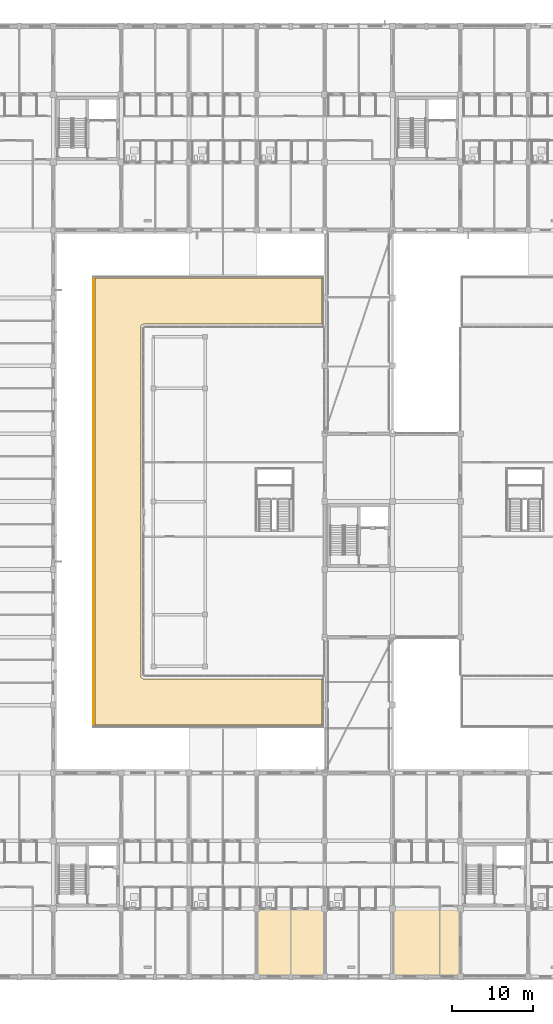
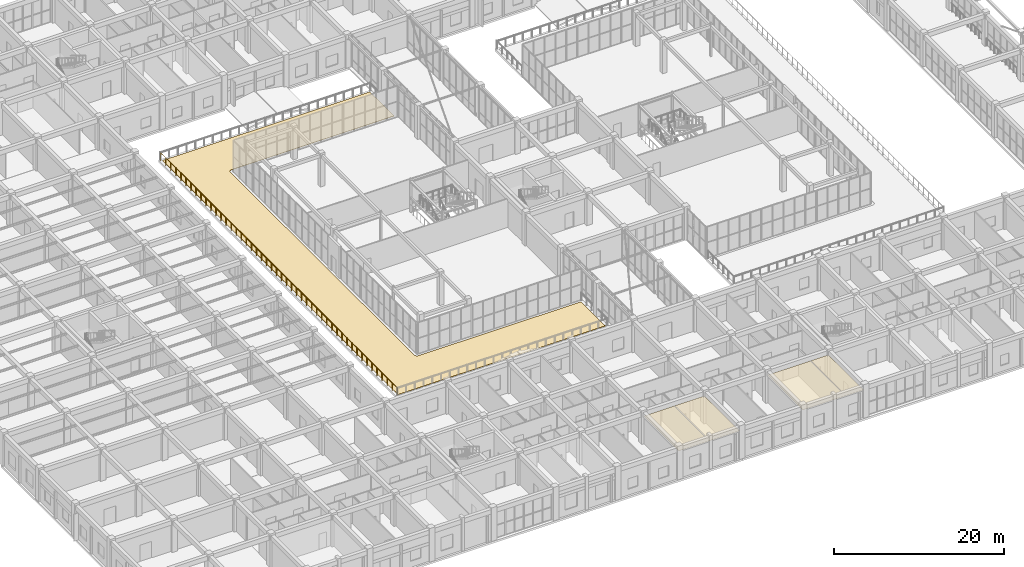
# One storey, part 147 of 158: 3 coverings, 1 railing.
"""IFC4 building model written with IfcOpenShell, lengths in metres."""

from ifc_helpers import new_model, si_unit, direction, frame, origin, origin_2d, place, context, subcontext, project, spatial, polyline, circle, outline, extrude, material, layer, layer_set, type_object, element, save


model = new_model("IFC4")

# Units and contexts
model_context = context("Model", 3, precision=1e-05, world=origin(), true_north=direction((0.0, 1.0)))
body_context = subcontext(model_context, "Body", "Model", "MODEL_VIEW")
ifc_project = project(units=[si_unit("LENGTHUNIT", "METRE"), si_unit("AREAUNIT", "SQUARE_METRE"), si_unit("VOLUMEUNIT", "CUBIC_METRE"), si_unit("PLANEANGLEUNIT", "RADIAN"), si_unit("MASSUNIT", "GRAM", prefix="KILO")], contexts=[model_context])

# Site, building, storey
site_placement = place(None, origin())
site = spatial("IfcSite", under=ifc_project, at=site_placement, CompositionType="ELEMENT")
building_placement = place(site_placement, origin())
building = spatial("IfcBuilding", under=site, at=building_placement, Name="Trelvath General Hospital", CompositionType="ELEMENT")
storey_placement = place(building_placement, frame((0.0, 0.0, 8.10009765625)))
storey = spatial("IfcBuildingStorey", under=building, at=storey_placement, Name="L02", CompositionType="ELEMENT", Elevation=8.10009765625)

# Coverings
ifc_material_1 = material(Name="Hygienic acoustic ceiling tile")
ifc_layer_1 = layer(ifc_material_1, 0.02490234375)
ifc_layer_set_1 = layer_set([ifc_layer_1], Name="Hygienic acoustic ceiling tile")
covering_type_1 = type_object("IfcCoveringType", Name="Ceiling ClinicalAcoustic", PredefinedType="CEILING", material=ifc_layer_set_1)
covering_1_placement = place(storey_placement, frame((0.0, 0.0, 3.719970703125)))
element("IfcCovering", 1, at=covering_1_placement, inside=storey, type_object=covering_type_1, Name="Clinical Acoustic Ceiling L02-28", PredefinedType="CEILING", context=body_context, shape_type="SweptSolid", body=[
    extrude(outline(polyline([(67.300048828125, 0.10009765625), (75.5, 0.10009765625), (75.5, 8.320068359375), (67.300048828125, 8.320068359375), (67.300048828125, 0.10009765625)])), origin(), (0.0, 0.0, 1.0), 0.02490234375),
])
covering_2_placement = place(storey_placement, frame((0.0, 0.0, 3.719970703125)))
element("IfcCovering", 2, at=covering_2_placement, inside=storey, type_object=covering_type_1, Name="Clinical Acoustic Ceiling L02-29", PredefinedType="CEILING", context=body_context, shape_type="SweptSolid", body=[
    extrude(outline(polyline([(84.10009765625, 0.10009765625), (92.300048828125, 0.10009765625), (92.300048828125, 8.320068359375), (84.10009765625, 8.320068359375), (84.10009765625, 0.10009765625)])), origin(), (0.0, 0.0, 1.0), 0.02490234375),
])

# Railing
ifc_material_2 = material(Name="Architectural painted steel", Category="steel")
railing_type = type_object("IfcRailingType", Name="Guardrail Terrace1150", PredefinedType="GUARDRAIL", material=ifc_material_2)
railing_placement = place(storey_placement, frame((46.97998046875, 31.0400390625, 0.0)))
element("IfcRailing", 3, at=railing_placement, inside=storey, type_object=railing_type, Name="Cube Terrace Guardrail TERR-CW-U2 2 20", PredefinedType="GUARDRAIL", context=body_context, shape_type="SweptSolid", body=[
    extrude(circle(Radius=0.02392578125, at=origin_2d()), frame((0.0, 0.0, 1.1259765625), z_axis=(0.0, 1.0, 0.0), x_axis=(-1.0, 0.0, 0.0)), (0.0, 0.0, 1.0), 55.52001953125),
    extrude(circle(Radius=0.02099609375, at=origin_2d()), origin(), (0.0, 0.0, 1.0), 1.099853515625),
    extrude(circle(Radius=0.02099609375, at=origin_2d()), frame((0.0, 1.181396484375, 0.0)), (0.0, 0.0, 1.0), 1.099853515625),
    extrude(circle(Radius=0.02099609375, at=origin_2d()), frame((0.0, 2.362548828125, 0.0)), (0.0, 0.0, 1.0), 1.099853515625),
    extrude(circle(Radius=0.02099609375, at=origin_2d()), frame((0.0, 3.5439453125, 0.0)), (0.0, 0.0, 1.0), 1.099853515625),
    extrude(circle(Radius=0.02099609375, at=origin_2d()), frame((0.0, 4.72509765625, 0.0)), (0.0, 0.0, 1.0), 1.099853515625),
    extrude(circle(Radius=0.02099609375, at=origin_2d()), frame((0.0, 5.906494140625, 0.0)), (0.0, 0.0, 1.0), 1.099853515625),
    extrude(circle(Radius=0.02099609375, at=origin_2d()), frame((0.0, 7.087646484375, 0.0)), (0.0, 0.0, 1.0), 1.099853515625),
    extrude(circle(Radius=0.02099609375, at=origin_2d()), frame((0.0, 8.26904296875, 0.0)), (0.0, 0.0, 1.0), 1.099853515625),
    extrude(circle(Radius=0.02099609375, at=origin_2d()), frame((0.0, 9.4501953125, 0.0)), (0.0, 0.0, 1.0), 1.099853515625),
    extrude(circle(Radius=0.02099609375, at=origin_2d()), frame((0.0, 10.631591796875, 0.0)), (0.0, 0.0, 1.0), 1.099853515625),
    extrude(circle(Radius=0.02099609375, at=origin_2d()), frame((0.0, 11.812744140625, 0.0)), (0.0, 0.0, 1.0), 1.099853515625),
    extrude(circle(Radius=0.02099609375, at=origin_2d()), frame((0.0, 12.994140625, 0.0)), (0.0, 0.0, 1.0), 1.099853515625),
    extrude(circle(Radius=0.02099609375, at=origin_2d()), frame((0.0, 14.17529296875, 0.0)), (0.0, 0.0, 1.0), 1.099853515625),
    extrude(circle(Radius=0.02099609375, at=origin_2d()), frame((0.0, 15.356689453125, 0.0)), (0.0, 0.0, 1.0), 1.099853515625),
    extrude(circle(Radius=0.02099609375, at=origin_2d()), frame((0.0, 16.537841796875, 0.0)), (0.0, 0.0, 1.0), 1.099853515625),
    extrude(circle(Radius=0.02099609375, at=origin_2d()), frame((0.0, 17.71923828125, 0.0)), (0.0, 0.0, 1.0), 1.099853515625),
    extrude(circle(Radius=0.02099609375, at=origin_2d()), frame((0.0, 18.900390625, 0.0)), (0.0, 0.0, 1.0), 1.099853515625),
    extrude(circle(Radius=0.02099609375, at=origin_2d()), frame((0.0, 20.081787109375, 0.0)), (0.0, 0.0, 1.0), 1.099853515625),
    extrude(circle(Radius=0.02099609375, at=origin_2d()), frame((0.0, 21.262939453125, 0.0)), (0.0, 0.0, 1.0), 1.099853515625),
    extrude(circle(Radius=0.02099609375, at=origin_2d()), frame((0.0, 22.4443359375, 0.0)), (0.0, 0.0, 1.0), 1.099853515625),
    extrude(circle(Radius=0.02099609375, at=origin_2d()), frame((0.0, 23.62548828125, 0.0)), (0.0, 0.0, 1.0), 1.099853515625),
    extrude(circle(Radius=0.02099609375, at=origin_2d()), frame((0.0, 24.806884765625, 0.0)), (0.0, 0.0, 1.0), 1.099853515625),
    extrude(circle(Radius=0.02099609375, at=origin_2d()), frame((0.0, 25.988037109375, 0.0)), (0.0, 0.0, 1.0), 1.099853515625),
    extrude(circle(Radius=0.02099609375, at=origin_2d()), frame((0.0, 27.16943359375, 0.0)), (0.0, 0.0, 1.0), 1.099853515625),
    extrude(circle(Radius=0.02099609375, at=origin_2d()), frame((0.0, 28.3505859375, 0.0)), (0.0, 0.0, 1.0), 1.099853515625),
    extrude(circle(Radius=0.02099609375, at=origin_2d()), frame((0.0, 29.531982421875, 0.0)), (0.0, 0.0, 1.0), 1.099853515625),
    extrude(circle(Radius=0.02099609375, at=origin_2d()), frame((0.0, 30.713134765625, 0.0)), (0.0, 0.0, 1.0), 1.099853515625),
    extrude(circle(Radius=0.02099609375, at=origin_2d()), frame((0.0, 31.89453125, 0.0)), (0.0, 0.0, 1.0), 1.099853515625),
    extrude(circle(Radius=0.02099609375, at=origin_2d()), frame((0.0, 33.07568359375, 0.0)), (0.0, 0.0, 1.0), 1.099853515625),
    extrude(circle(Radius=0.02099609375, at=origin_2d()), frame((0.0, 34.257080078125, 0.0)), (0.0, 0.0, 1.0), 1.099853515625),
    extrude(circle(Radius=0.02099609375, at=origin_2d()), frame((0.0, 35.438232421875, 0.0)), (0.0, 0.0, 1.0), 1.099853515625),
    extrude(circle(Radius=0.02099609375, at=origin_2d()), frame((0.0, 36.61962890625, 0.0)), (0.0, 0.0, 1.0), 1.099853515625),
    extrude(circle(Radius=0.02099609375, at=origin_2d()), frame((0.0, 37.80078125, 0.0)), (0.0, 0.0, 1.0), 1.099853515625),
    extrude(circle(Radius=0.02099609375, at=origin_2d()), frame((0.0, 38.982177734375, 0.0)), (0.0, 0.0, 1.0), 1.099853515625),
    extrude(circle(Radius=0.02099609375, at=origin_2d()), frame((0.0, 40.163330078125, 0.0)), (0.0, 0.0, 1.0), 1.099853515625),
    extrude(circle(Radius=0.02099609375, at=origin_2d()), frame((0.0, 41.3447265625, 0.0)), (0.0, 0.0, 1.0), 1.099853515625),
    extrude(circle(Radius=0.02099609375, at=origin_2d()), frame((0.0, 42.52587890625, 0.0)), (0.0, 0.0, 1.0), 1.099853515625),
    extrude(circle(Radius=0.02099609375, at=origin_2d()), frame((0.0, 43.707275390625, 0.0)), (0.0, 0.0, 1.0), 1.099853515625),
    extrude(circle(Radius=0.02099609375, at=origin_2d()), frame((0.0, 44.888427734375, 0.0)), (0.0, 0.0, 1.0), 1.099853515625),
    extrude(circle(Radius=0.02099609375, at=origin_2d()), frame((0.0, 46.06982421875, 0.0)), (0.0, 0.0, 1.0), 1.099853515625),
    extrude(circle(Radius=0.02099609375, at=origin_2d()), frame((0.0, 47.2509765625, 0.0)), (0.0, 0.0, 1.0), 1.099853515625),
    extrude(circle(Radius=0.02099609375, at=origin_2d()), frame((0.0, 48.432373046875, 0.0)), (0.0, 0.0, 1.0), 1.099853515625),
    extrude(circle(Radius=0.02099609375, at=origin_2d()), frame((0.0, 49.613525390625, 0.0)), (0.0, 0.0, 1.0), 1.099853515625),
    extrude(circle(Radius=0.02099609375, at=origin_2d()), frame((0.0, 50.794921875, 0.0)), (0.0, 0.0, 1.0), 1.099853515625),
    extrude(circle(Radius=0.02099609375, at=origin_2d()), frame((0.0, 51.97607421875, 0.0)), (0.0, 0.0, 1.0), 1.099853515625),
    extrude(circle(Radius=0.02099609375, at=origin_2d()), frame((0.0, 53.157470703125, 0.0)), (0.0, 0.0, 1.0), 1.099853515625),
    extrude(circle(Radius=0.02099609375, at=origin_2d()), frame((0.0, 54.338623046875, 0.0)), (0.0, 0.0, 1.0), 1.099853515625),
    extrude(circle(Radius=0.02099609375, at=origin_2d()), frame((0.0, 55.52001953125, 0.0)), (0.0, 0.0, 1.0), 1.099853515625),
])

# Covering
ifc_material_3 = material(Name="Planted green roof substrate")
ifc_layer_2 = layer(ifc_material_3, 0.179931640625)
ifc_layer_set_2 = layer_set([ifc_layer_2], Name="Planted green roof substrate")
covering_type_2 = type_object("IfcCoveringType", Name="Roofing PlantedGarden", PredefinedType="ROOFING", material=ifc_layer_set_2)
covering_3_placement = place(storey_placement, origin())
element("IfcCovering", 4, at=covering_3_placement, inside=storey, type_object=covering_type_2, Name="Crystal Cube Planted Garden TERR-CW-U2", PredefinedType="ROOFING", context=body_context, shape_type="SweptSolid", body=[
    extrude(outline(polyline([(47.14990234375, 31.14990234375), (47.14990234375, 86.449951171875), (75.25, 86.449951171875), (75.25, 80.75), (53.199951171875, 80.75), (53.165771484375, 80.748291015625), (53.131591796875, 80.743408203125), (53.098388671875, 80.73486328125), (53.066162109375, 80.723388671875), (53.034912109375, 80.708740234375), (53.005615234375, 80.69091796875), (52.97802734375, 80.670654296875), (52.952392578125, 80.6474609375), (52.929443359375, 80.6220703125), (52.908935546875, 80.594482421875), (52.891357421875, 80.56494140625), (52.876708984375, 80.533935546875), (52.864990234375, 80.501708984375), (52.856689453125, 80.46826171875), (52.851806640625, 80.434326171875), (52.85009765625, 80.39990234375), (52.85009765625, 37.199951171875), (52.851806640625, 37.165771484375), (52.856689453125, 37.131591796875), (52.864990234375, 37.098388671875), (52.876708984375, 37.066162109375), (52.891357421875, 37.034912109375), (52.908935546875, 37.005615234375), (52.929443359375, 36.97802734375), (52.952392578125, 36.952392578125), (52.97802734375, 36.929443359375), (53.005615234375, 36.908935546875), (53.034912109375, 36.891357421875), (53.066162109375, 36.876708984375), (53.098388671875, 36.864990234375), (53.131591796875, 36.856689453125), (53.165771484375, 36.851806640625), (53.199951171875, 36.85009765625), (75.25, 36.85009765625), (75.25, 31.14990234375), (47.14990234375, 31.14990234375)])), origin(), (0.0, 0.0, 1.0), 0.039794921875),
])

save(model, "model.ifc")
